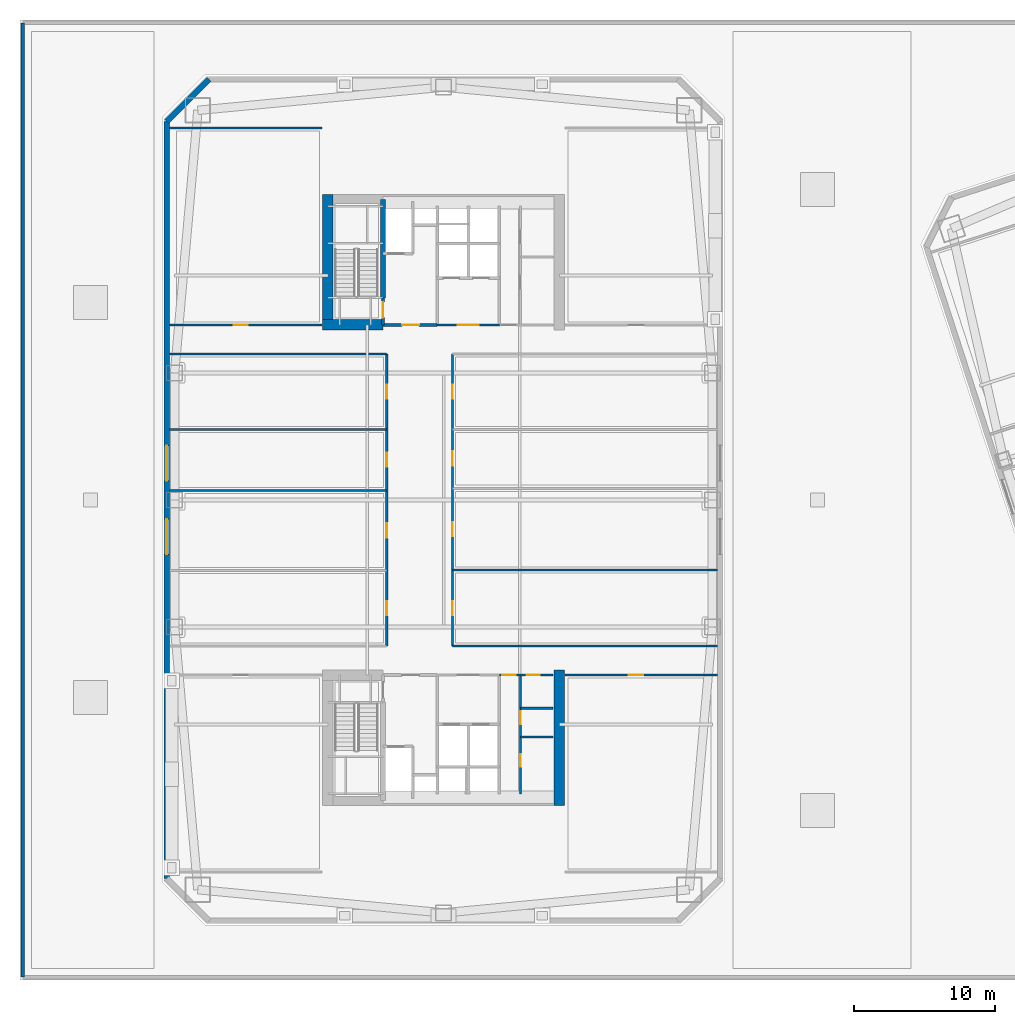
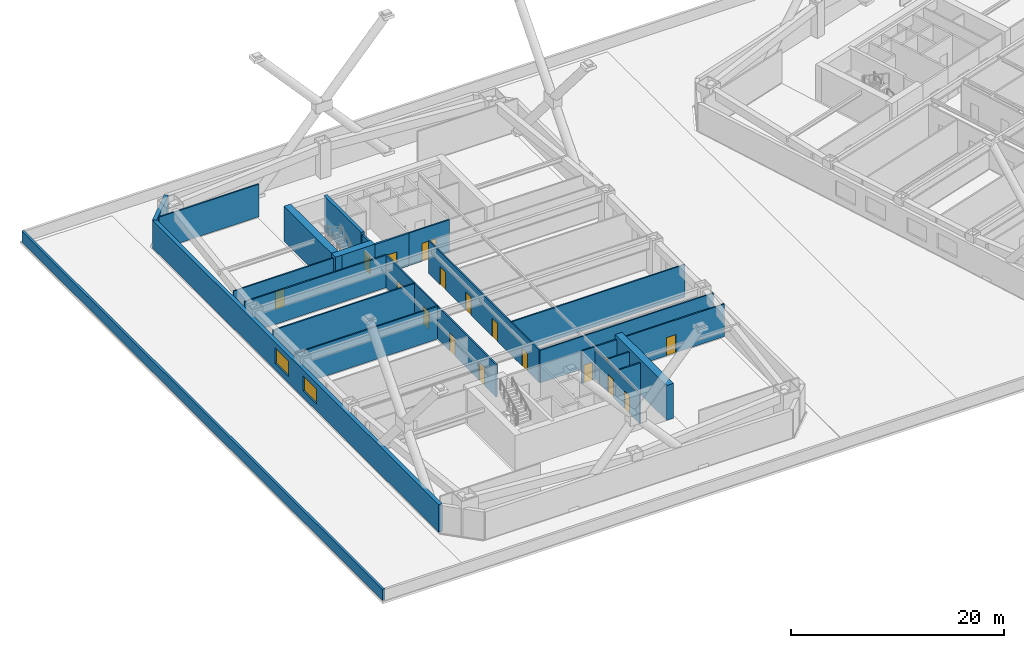
# One storey, part 7 of 20: 24 walls, 17 doors, 2 windows, 19 openings.
"""IFC4 building model written with IfcOpenShell, lengths in metres."""

from ifc_helpers import new_model, si_unit, direction, frame, frame_2d, origin, place, context, subcontext, project, spatial, rectangle, extrude, material, layer, layer_set, type_object, element, fill, save


model = new_model("IFC4")

# Units and contexts
model_context = context("Model", 3, precision=1e-05, world=origin(), true_north=direction((0.0, 1.0)))
body_context = subcontext(model_context, "Body", "Model", "MODEL_VIEW")
ifc_project = project(units=[si_unit("LENGTHUNIT", "METRE"), si_unit("AREAUNIT", "SQUARE_METRE"), si_unit("VOLUMEUNIT", "CUBIC_METRE"), si_unit("PLANEANGLEUNIT", "RADIAN"), si_unit("MASSUNIT", "GRAM", prefix="KILO")], contexts=[model_context])

# Site, building, storey
site_placement = place(None, origin())
site = spatial("IfcSite", under=ifc_project, at=site_placement, CompositionType="ELEMENT")
building_placement = place(site_placement, origin())
building = spatial("IfcBuilding", under=site, at=building_placement, Name="Qiaolan Cultural Towers", CompositionType="ELEMENT")
storey_placement = place(building_placement, frame((0.0, 0.0, 26.0)))
storey = spatial("IfcBuildingStorey", under=building, at=storey_placement, Name="L05", CompositionType="ELEMENT", Elevation=26.0)

# Walls
ifc_material_1 = material(Name="Concrete C50", Category="concrete")
ifc_layer_1 = layer(ifc_material_1, 0.35009765625)
ifc_layer_set_1 = layer_set([ifc_layer_1], Name="Concrete C50")
wall_type_1 = type_object("IfcWallType", Name="WL-CORE-350", PredefinedType="SHEAR", material=ifc_layer_set_1)
wall_1_placement = place(storey_placement, frame((25.719970703125, 48.300048828125, 0.0), z_axis=(0.0, 0.0, 1.0), x_axis=(0.0, 1.0, 0.0)))
element("IfcWall", 1, at=wall_1_placement, inside=storey, type_object=wall_type_1, Name="L05 T1-CN Stair Core Dividing Web", PredefinedType="SHEAR", context=body_context, shape_type="SweptSolid", body=[
    extrude(rectangle(XDim=6.97998046875, YDim=0.35009765625, at=frame_2d((3.489990234375, 0.0))), origin(), (0.0, 0.0, 1.0), 4.0),
])
ifc_material_2 = material(Name="Concrete C60", Category="concrete")
ifc_layer_2 = layer(ifc_material_2, 0.75)
ifc_layer_set_2 = layer_set([ifc_layer_2], Name="Concrete C60")
wall_type_2 = type_object("IfcWallType", Name="WL-CORE-750", PredefinedType="SHEAR", material=ifc_layer_set_2)
for number, where, z_axis, x_axis, name in (
    (2, (38.199951171875, 21.97509765625, 0.0), (0.0, 0.0, 1.0), (0.0, -1.0, 0.0), "L05 T1-CS East Core Shear Wall"),
    (3, (21.800048828125, 46.02490234375, 0.0), (0.0, 0.0, 1.0), (0.0, 1.0, 0.0), "L05 T1-CN West Core Shear Wall"),
):
    element("IfcWall", number, at=place(storey_placement, frame(where, z_axis=z_axis, x_axis=x_axis)), inside=storey, type_object=wall_type_2, Name=name, PredefinedType="SHEAR", context=body_context, shape_type="SweptSolid", body=[
        extrude(rectangle(XDim=9.630126953125, YDim=0.75, at=frame_2d((4.81494140625, 0.0))), origin(), (0.0, 0.0, 1.0), 4.0),
    ])
wall_2_placement = place(storey_placement, frame((21.425048828125, 46.39990234375, 0.0), z_axis=(0.0, 0.0, 1.0), x_axis=(1.0, 0.0, 0.0)))
element("IfcWall", 4, at=wall_2_placement, inside=storey, type_object=wall_type_2, Name="L05 T1-CN Stair Front Shear Wall", PredefinedType="SHEAR", context=body_context, shape_type="SweptSolid", body=[
    extrude(rectangle(XDim=4.294921875, YDim=0.75, at=frame_2d((2.1474609375, 0.0))), origin(), (0.0, 0.0, 1.0), 4.0),
])

# Wall, openings, windows
ifc_material_3 = material(Name="Precast Concrete C50 Honed Stone Pier", Category="masonry")
ifc_layer_3 = layer(ifc_material_3, 0.39990234375)
ifc_layer_set_3 = layer_set([ifc_layer_3], Name="Precast Concrete C50 Honed Stone Pier")
wall_type_3 = type_object("IfcWallType", Name="WL-EXT-PIER-400", PredefinedType="SOLIDWALL", material=ifc_layer_set_3)
wall_3_placement = place(storey_placement, frame((10.39990234375, 7.199951171875, 0.0), z_axis=(0.0, 0.0, 1.0), x_axis=(0.0, 1.0, 0.0)))
wall_3 = element("IfcWall", 5, at=wall_3_placement, inside=storey, type_object=wall_type_3, Name="L05 West Tower Precast Pier Facade Wall F1", PredefinedType="SOLIDWALL", context=body_context, shape_type="SweptSolid", body=[
    extrude(rectangle(XDim=53.60009765625, YDim=0.39990234375, at=frame_2d((26.800048828125, 0.0))), origin(), (0.0, 0.0, 1.0), 3.159912109375),
])
opening_1_placement = place(wall_3_placement, frame((22.949951171875, 0.0, 0.75)))
opening_1 = element("IfcOpeningElement", 6, at=opening_1_placement, cuts=wall_3, Name="Opening W-01", PredefinedType="OPENING", context=body_context, shape_type="SweptSolid", body=[
    extrude(rectangle(XDim=2.5, YDim=1.75, at=frame_2d((1.25, 0.875))), frame((0.0, 0.2099609375, 0.0), z_axis=(0.0, -1.0, 0.0), x_axis=(1.0, 0.0, 0.0)), (0.0, 0.0, 1.0), 0.419921875),
])
opening_2_placement = place(wall_3_placement, frame((28.14990234375, 0.0, 0.75)))
opening_2 = element("IfcOpeningElement", 7, at=opening_2_placement, cuts=wall_3, Name="Opening W-01", PredefinedType="OPENING", context=body_context, shape_type="SweptSolid", body=[
    extrude(rectangle(XDim=2.5, YDim=1.75, at=frame_2d((1.25, 0.875))), frame((0.0, 0.2099609375, 0.0), z_axis=(0.0, -1.0, 0.0), x_axis=(1.0, 0.0, 0.0)), (0.0, 0.0, 1.0), 0.419921875),
])
ifc_material_4 = material(Name="Thermally Broken Aluminium Triple Low-E Glazing", Category="aluminium")
window_type = type_object("IfcWindowType", Name="WN-CHIC-2500", PartitioningType="SINGLE_PANEL", PredefinedType="WINDOW", material=ifc_material_4)
window_1_placement = place(opening_1_placement, origin())
window_1 = element("IfcWindow", 8, at=window_1_placement, inside=storey, type_object=window_type, Name="L05 T1 W Chicago Bay Window 1", OverallHeight=1.75, OverallWidth=2.5, PartitioningType="TRIPLE_PANEL_VERTICAL", PredefinedType="WINDOW", context=body_context, shape_type="SweptSolid", body=[
    extrude(rectangle(XDim=2.5, YDim=1.75, at=frame_2d((1.25, 0.875))), frame((0.0, 0.030029296875, 0.0), z_axis=(0.0, -1.0, 0.0), x_axis=(1.0, 0.0, 0.0)), (0.0, 0.0, 1.0), 0.06005859375),
])
fill(opening_1, window_1)
window_2_placement = place(opening_2_placement, origin())
window_2 = element("IfcWindow", 9, at=window_2_placement, inside=storey, type_object=window_type, Name="L05 T1 W Chicago Bay Window 2", OverallHeight=1.75, OverallWidth=2.5, PartitioningType="TRIPLE_PANEL_VERTICAL", PredefinedType="WINDOW", context=body_context, shape_type="SweptSolid", body=[
    extrude(rectangle(XDim=2.5, YDim=1.75, at=frame_2d((1.25, 0.875))), frame((0.0, 0.030029296875, 0.0), z_axis=(0.0, -1.0, 0.0), x_axis=(1.0, 0.0, 0.0)), (0.0, 0.0, 1.0), 0.06005859375),
])
fill(opening_2, window_2)

# Wall
wall_4_placement = place(storey_placement, frame((10.39990234375, 60.800048828125, 0.0), z_axis=(0.0, 0.0, 1.0), x_axis=(0.707106781187, 0.707106781187, 0.0)))
element("IfcWall", 10, at=wall_4_placement, inside=storey, type_object=wall_type_3, Name="L05 West Tower Precast Pier Facade Wall F2", PredefinedType="SOLIDWALL", context=body_context, shape_type="SweptSolid", body=[
    extrude(rectangle(XDim=4.24267578125, YDim=0.39990234375, at=frame_2d((2.121337890625, 0.0))), origin(), (0.0, 0.0, 1.0), 3.159912109375),
])

# Wall, opening, door
ifc_material_5 = material(Name="Concrete C35 Fire Wall", Category="concrete")
ifc_layer_4 = layer(ifc_material_5, 0.199951171875)
ifc_layer_set_4 = layer_set([ifc_layer_4], Name="Concrete C35 Fire Wall")
wall_type_4 = type_object("IfcWallType", Name="WL-FIRE-200", PredefinedType="PARTITIONING", material=ifc_layer_set_4)
wall_5_placement = place(storey_placement, frame((25.719970703125, 46.39990234375, 0.0), z_axis=(0.0, 0.0, 1.0), x_axis=(0.0, 1.0, 0.0)))
wall_5 = element("IfcWall", 11, at=wall_5_placement, inside=storey, type_object=wall_type_4, Name="L05 T1-CN Smokeproof Stair Entry Wall", PredefinedType="PARTITIONING", context=body_context, shape_type="SweptSolid", body=[
    extrude(rectangle(XDim=1.900146484375, YDim=0.199951171875, at=frame_2d((0.9501953125, 0.0))), origin(), (0.0, 0.0, 1.0), 3.72509765625),
])
opening_3_placement = place(wall_5_placement, frame((0.52001953125, 0.0, 0.0)))
opening_3 = element("IfcOpeningElement", 12, at=opening_3_placement, cuts=wall_5, Name="Opening FD-04", PredefinedType="OPENING", context=body_context, shape_type="SweptSolid", body=[
    extrude(rectangle(XDim=1.10009765625, YDim=2.050048828125, at=frame_2d((0.550048828125, 1.02490234375))), frame((0.0, 0.10986328125, 0.0), z_axis=(0.0, -1.0, 0.0), x_axis=(1.0, 0.0, 0.0)), (0.0, 0.0, 1.0), 0.219970703125),
])
ifc_material_6 = material(Name="Galvanized Steel Command Fire Door", Category="steel")
door_type_1 = type_object("IfcDoorType", Name="DR-FD90-1100", OperationType="NOTDEFINED", PredefinedType="DOOR", material=ifc_material_6)
door_1_placement = place(opening_3_placement, origin())
door_1 = element("IfcDoor", 13, at=door_1_placement, inside=storey, type_object=door_type_1, Name="L05 ST-W2 Smokeproof Stair Fire Door", OperationType="SINGLE_SWING_LEFT", OverallHeight=2.050048828125, OverallWidth=1.10009765625, PredefinedType="DOOR", context=body_context, shape_type="SweptSolid", body=[
    extrude(rectangle(XDim=1.10009765625, YDim=2.050048828125, at=frame_2d((0.550048828125, 1.02490234375))), frame((0.0, 0.02490234375, 0.0), z_axis=(0.0, -1.0, 0.0), x_axis=(1.0, 0.0, 0.0)), (0.0, 0.0, 1.0), 0.050048828125),
])
fill(opening_3, door_1)

wall_6_placement = place(storey_placement, frame((25.719970703125, 46.39990234375, 0.0), z_axis=(0.0, 0.0, 1.0), x_axis=(1.0, 0.0, 0.0)))
wall_6 = element("IfcWall", 14, at=wall_6_placement, inside=storey, type_object=wall_type_4, Name="L05 T1-CN Firefighting Lobby Front Wall", PredefinedType="PARTITIONING", context=body_context, shape_type="SweptSolid", body=[
    extrude(rectangle(XDim=3.830078125, YDim=0.199951171875, at=frame_2d((1.9150390625, 0.0))), origin(), (0.0, 0.0, 1.0), 3.72509765625),
])
opening_4_placement = place(wall_6_placement, frame((1.35009765625, 0.0, 0.0)))
opening_4 = element("IfcOpeningElement", 15, at=opening_4_placement, cuts=wall_6, Name="Opening FD-03", PredefinedType="OPENING", context=body_context, shape_type="SweptSolid", body=[
    extrude(rectangle(XDim=1.199951171875, YDim=2.050048828125, at=frame_2d((0.60009765625, 1.02490234375))), frame((0.0, 0.10986328125, 0.0), z_axis=(0.0, -1.0, 0.0), x_axis=(1.0, 0.0, 0.0)), (0.0, 0.0, 1.0), 0.219970703125),
])
ifc_material_7 = material(Name="Galvanized Steel Smokeproof Lobby Fire Door", Category="steel")
door_type_2 = type_object("IfcDoorType", Name="DR-FD90-1200", OperationType="NOTDEFINED", PredefinedType="DOOR", material=ifc_material_7)
door_2_placement = place(opening_4_placement, origin())
door_2 = element("IfcDoor", 16, at=door_2_placement, inside=storey, type_object=door_type_2, Name="L05 FFL-W2 Firefighting Lobby Fire Door", OperationType="SINGLE_SWING_LEFT", OverallHeight=2.050048828125, OverallWidth=1.199951171875, PredefinedType="DOOR", context=body_context, shape_type="SweptSolid", body=[
    extrude(rectangle(XDim=1.199951171875, YDim=2.050048828125, at=frame_2d((0.60009765625, 1.02490234375))), frame((0.0, 0.02490234375, 0.0), z_axis=(0.0, -1.0, 0.0), x_axis=(1.0, 0.0, 0.0)), (0.0, 0.0, 1.0), 0.050048828125),
])
fill(opening_4, door_2)

# Wall
ifc_material_8 = material(Name="Precast Concrete C45 Parapet Coping", Category="concrete")
ifc_layer_5 = layer(ifc_material_8, 0.25)
ifc_layer_set_5 = layer_set([ifc_layer_5], Name="Precast Concrete C45 Parapet Coping")
wall_type_5 = type_object("IfcWallType", Name="WL-PARAPET-250", PredefinedType="PARAPET", material=ifc_layer_set_5)
wall_7_placement = place(storey_placement, frame((0.199951171875, 0.199951171875, 0.0), z_axis=(0.0, 0.0, 1.0), x_axis=(0.0, 1.0, 0.0)))
element("IfcWall", 17, at=wall_7_placement, inside=storey, type_object=wall_type_5, Name="Podium Perimeter Precast Parapet PW-POD-W", PredefinedType="PARAPET", context=body_context, shape_type="SweptSolid", body=[
    extrude(rectangle(XDim=67.60009765625, YDim=0.25, at=frame_2d((33.800048828125, 0.0))), origin(), (0.0, 0.0, 1.0), 1.25),
])

# Wall, openings, doors
ifc_material_9 = material(Name="Autoclaved Aerated Concrete Block B06", Category="concrete")
ifc_layer_6 = layer(ifc_material_9, 0.14990234375)
ifc_layer_set_6 = layer_set([ifc_layer_6], Name="Autoclaved Aerated Concrete Block B06")
wall_type_6 = type_object("IfcWallType", Name="WL-PART-150", PredefinedType="PARTITIONING", material=ifc_layer_set_6)
wall_8_placement = place(storey_placement, frame((33.949951171875, 21.60009765625, 0.0), z_axis=(0.0, 0.0, 1.0), x_axis=(1.0, 0.0, 0.0)))
wall_8 = element("IfcWall", 18, at=wall_8_placement, inside=storey, type_object=wall_type_6, Name="L05 T1-CS Sanitary Core Front Wall", PredefinedType="PARTITIONING", context=body_context, shape_type="SweptSolid", body=[
    extrude(rectangle(XDim=3.800048828125, YDim=0.14990234375, at=frame_2d((1.89990234375, 0.0))), origin(), (0.0, 0.0, 1.0), 3.72509765625),
])
opening_5_placement = place(wall_8_placement, frame((0.219970703125, 0.0, 0.0)))
opening_5 = element("IfcOpeningElement", 19, at=opening_5_placement, cuts=wall_8, Name="Opening ID-05", PredefinedType="OPENING", context=body_context, shape_type="SweptSolid", body=[
    extrude(rectangle(XDim=0.949951171875, YDim=2.050048828125, at=frame_2d((0.47509765625, 1.02490234375))), frame((0.0, 0.0849609375, 0.0), z_axis=(0.0, -1.0, 0.0), x_axis=(1.0, 0.0, 0.0)), (0.0, 0.0, 1.0), 0.169921875),
])
opening_6_placement = place(wall_8_placement, frame((1.949951171875, 0.0, 0.0)))
opening_6 = element("IfcOpeningElement", 20, at=opening_6_placement, cuts=wall_8, Name="Opening ID-06", PredefinedType="OPENING", context=body_context, shape_type="SweptSolid", body=[
    extrude(rectangle(XDim=0.89990234375, YDim=2.050048828125, at=frame_2d((0.449951171875, 1.02490234375))), frame((0.0, 0.0849609375, 0.0), z_axis=(0.0, -1.0, 0.0), x_axis=(1.0, 0.0, 0.0)), (0.0, 0.0, 1.0), 0.169921875),
])
ifc_material_10 = material(Name="Fire-Rated Laminate Core Service Door", Category="timber")
door_type_3 = type_object("IfcDoorType", Name="DR-INT-900", OperationType="NOTDEFINED", PredefinedType="DOOR", material=ifc_material_10)
door_3_placement = place(opening_6_placement, origin())
door_3 = element("IfcDoor", 21, at=door_3_placement, inside=storey, type_object=door_type_3, Name="L05 Core Tea Pantry Door", OperationType="SINGLE_SWING_RIGHT", OverallHeight=2.050048828125, OverallWidth=0.89990234375, PredefinedType="DOOR", context=body_context, shape_type="SweptSolid", body=[
    extrude(rectangle(XDim=0.89990234375, YDim=2.050048828125, at=frame_2d((0.449951171875, 1.02490234375))), frame((0.0, 0.02490234375, 0.0), z_axis=(0.0, -1.0, 0.0), x_axis=(1.0, 0.0, 0.0)), (0.0, 0.0, 1.0), 0.050048828125),
])
fill(opening_6, door_3)
ifc_material_11 = material(Name="Fire-Rated Laminate Accessible Core Door", Category="timber")
door_type_4 = type_object("IfcDoorType", Name="DR-INT-950", OperationType="NOTDEFINED", PredefinedType="DOOR", material=ifc_material_11)
door_4_placement = place(opening_5_placement, origin())
door_4 = element("IfcDoor", 22, at=door_4_placement, inside=storey, type_object=door_type_4, Name="L05 Sanitary Passage Door", OperationType="SINGLE_SWING_LEFT", OverallHeight=2.050048828125, OverallWidth=0.949951171875, PredefinedType="DOOR", context=body_context, shape_type="SweptSolid", body=[
    extrude(rectangle(XDim=0.949951171875, YDim=2.050048828125, at=frame_2d((0.47509765625, 1.02490234375))), frame((0.0, 0.02490234375, 0.0), z_axis=(0.0, -1.0, 0.0), x_axis=(1.0, 0.0, 0.0)), (0.0, 0.0, 1.0), 0.050048828125),
])
fill(opening_5, door_4)

wall_9_placement = place(storey_placement, frame((35.449951171875, 21.60009765625, 0.0), z_axis=(0.0, 0.0, 1.0), x_axis=(0.0, -1.0, 0.0)))
wall_9 = element("IfcWall", 23, at=wall_9_placement, inside=storey, type_object=wall_type_6, Name="L05 T1-CS Sanitary Corridor Wall", PredefinedType="PARTITIONING", context=body_context, shape_type="SweptSolid", body=[
    extrude(rectangle(XDim=8.43017578125, YDim=0.14990234375, at=frame_2d((4.215087890625, 0.0))), origin(), (0.0, 0.0, 1.0), 3.364990234375),
])
opening_7_placement = place(wall_9_placement, frame((2.550048828125, 0.0, 0.0)))
opening_7 = element("IfcOpeningElement", 24, at=opening_7_placement, cuts=wall_9, Name="Opening ID-05", PredefinedType="OPENING", context=body_context, shape_type="SweptSolid", body=[
    extrude(rectangle(XDim=0.949951171875, YDim=2.050048828125, at=frame_2d((0.47509765625, 1.02490234375))), frame((0.0, 0.0849609375, 0.0), z_axis=(0.0, -1.0, 0.0), x_axis=(1.0, 0.0, 0.0)), (0.0, 0.0, 1.0), 0.169921875),
])
opening_8_placement = place(wall_9_placement, frame((5.60009765625, 0.0, 0.0)))
opening_8 = element("IfcOpeningElement", 25, at=opening_8_placement, cuts=wall_9, Name="Opening ID-06", PredefinedType="OPENING", context=body_context, shape_type="SweptSolid", body=[
    extrude(rectangle(XDim=0.89990234375, YDim=2.050048828125, at=frame_2d((0.449951171875, 1.02490234375))), frame((0.0, 0.0849609375, 0.0), z_axis=(0.0, -1.0, 0.0), x_axis=(1.0, 0.0, 0.0)), (0.0, 0.0, 1.0), 0.169921875),
])
door_5_placement = place(opening_8_placement, origin())
door_5 = element("IfcDoor", 26, at=door_5_placement, inside=storey, type_object=door_type_3, Name="L05 Staff Restroom Door", OperationType="SINGLE_SWING_RIGHT", OverallHeight=2.050048828125, OverallWidth=0.89990234375, PredefinedType="DOOR", context=body_context, shape_type="SweptSolid", body=[
    extrude(rectangle(XDim=0.89990234375, YDim=2.050048828125, at=frame_2d((0.449951171875, 1.02490234375))), frame((0.0, 0.02490234375, 0.0), z_axis=(0.0, -1.0, 0.0), x_axis=(1.0, 0.0, 0.0)), (0.0, 0.0, 1.0), 0.050048828125),
])
fill(opening_8, door_5)
door_6_placement = place(opening_7_placement, origin())
door_6 = element("IfcDoor", 27, at=door_6_placement, inside=storey, type_object=door_type_4, Name="L05 Accessible Washroom Door", OperationType="SINGLE_SWING_LEFT", OverallHeight=2.050048828125, OverallWidth=0.949951171875, PredefinedType="DOOR", context=body_context, shape_type="SweptSolid", body=[
    extrude(rectangle(XDim=0.949951171875, YDim=2.050048828125, at=frame_2d((0.47509765625, 1.02490234375))), frame((0.0, 0.02490234375, 0.0), z_axis=(0.0, -1.0, 0.0), x_axis=(1.0, 0.0, 0.0)), (0.0, 0.0, 1.0), 0.050048828125),
])
fill(opening_7, door_6)

# Walls
for number, where, z_axis, x_axis, name in (
    (28, (35.449951171875, 17.199951171875, 0.0), (0.0, 0.0, 1.0), (1.0, 0.0, 0.0), "L05 T1-CS Restroom Split Wall"),
    (29, (35.449951171875, 19.25, 0.0), (0.0, 0.0, 1.0), (1.0, 0.0, 0.0), "L05 T1-CS Core Pantry Wall"),
):
    element("IfcWall", number, at=place(storey_placement, frame(where, z_axis=z_axis, x_axis=x_axis)), inside=storey, type_object=wall_type_6, Name=name, PredefinedType="PARTITIONING", context=body_context, shape_type="SweptSolid", body=[
        extrude(rectangle(XDim=2.300048828125, YDim=0.14990234375, at=frame_2d((1.14990234375, 0.0))), origin(), (0.0, 0.0, 1.0), 3.72509765625),
    ])

# Wall, opening, door
wall_10_placement = place(storey_placement, frame((29.550048828125, 46.39990234375, 0.0), z_axis=(0.0, 0.0, 1.0), x_axis=(1.0, 0.0, 0.0)))
wall_10 = element("IfcWall", 30, at=wall_10_placement, inside=storey, type_object=wall_type_6, Name="L05 T1-CN Passenger Lift Lobby Front Wall", PredefinedType="PARTITIONING", context=body_context, shape_type="SweptSolid", body=[
    extrude(rectangle(XDim=4.39990234375, YDim=0.14990234375, at=frame_2d((2.199951171875, 0.0))), origin(), (0.0, 0.0, 1.0), 3.72509765625),
])
opening_9_placement = place(wall_10_placement, frame((1.449951171875, 0.0, 0.0)))
opening_9 = element("IfcOpeningElement", 31, at=opening_9_placement, cuts=wall_10, Name="Opening FD-05", PredefinedType="OPENING", context=body_context, shape_type="SweptSolid", body=[
    extrude(rectangle(XDim=1.5, YDim=2.050048828125, at=frame_2d((0.75, 1.02490234375))), frame((0.0, 0.0849609375, 0.0), z_axis=(0.0, -1.0, 0.0), x_axis=(1.0, 0.0, 0.0)), (0.0, 0.0, 1.0), 0.169921875),
])
ifc_material_12 = material(Name="Painted Steel Lift Lobby Fire Door", Category="steel")
door_type_5 = type_object("IfcDoorType", Name="DR-FD60-1500", OperationType="NOTDEFINED", PredefinedType="DOOR", material=ifc_material_12)
door_7_placement = place(opening_9_placement, origin())
door_7 = element("IfcDoor", 32, at=door_7_placement, inside=storey, type_object=door_type_5, Name="L05 Passenger Lift Lobby Entrance", OperationType="SINGLE_SWING_LEFT", OverallHeight=2.050048828125, OverallWidth=1.5, PredefinedType="DOOR", context=body_context, shape_type="SweptSolid", body=[
    extrude(rectangle(XDim=1.5, YDim=2.050048828125, at=frame_2d((0.75, 1.02490234375))), frame((0.0, 0.02490234375, 0.0), z_axis=(0.0, -1.0, 0.0), x_axis=(1.0, 0.0, 0.0)), (0.0, 0.0, 1.0), 0.050048828125),
])
fill(opening_9, door_7)

wall_11_placement = place(storey_placement, frame((38.60009765625, 21.60009765625, 0.0), z_axis=(0.0, 0.0, 1.0), x_axis=(1.0, 0.0, 0.0)))
wall_11 = element("IfcWall", 33, at=wall_11_placement, inside=storey, type_object=wall_type_6, Name="L05 T1 Flank Front FLK-SE", PredefinedType="PARTITIONING", context=body_context, shape_type="SweptSolid", body=[
    extrude(rectangle(XDim=10.7998046875, YDim=0.14990234375, at=frame_2d((5.39990234375, 0.0))), origin(), (0.0, 0.0, 1.0), 3.72509765625),
])
opening_10_placement = place(wall_11_placement, frame((4.535888671875, 0.0, 0.0)))
opening_10 = element("IfcOpeningElement", 34, at=opening_10_placement, cuts=wall_11, Name="Opening ID-04", PredefinedType="OPENING", context=body_context, shape_type="SweptSolid", body=[
    extrude(rectangle(XDim=1.0, YDim=2.050048828125, at=frame_2d((0.5, 1.02490234375))), frame((0.0, 0.0849609375, 0.0), z_axis=(0.0, -1.0, 0.0), x_axis=(1.0, 0.0, 0.0)), (0.0, 0.0, 1.0), 0.169921875),
])
ifc_material_13 = material(Name="Oak Veneer Acoustic Office Door", Category="timber")
door_type_6 = type_object("IfcDoorType", Name="DR-INT-1000", OperationType="NOTDEFINED", PredefinedType="DOOR", material=ifc_material_13)
door_8_placement = place(opening_10_placement, origin())
door_8 = element("IfcDoor", 35, at=door_8_placement, inside=storey, type_object=door_type_6, Name="L05 T1 Corner Studio Door", OperationType="SINGLE_SWING_LEFT", OverallHeight=2.050048828125, OverallWidth=1.0, PredefinedType="DOOR", context=body_context, shape_type="SweptSolid", body=[
    extrude(rectangle(XDim=1.0, YDim=2.050048828125, at=frame_2d((0.5, 1.02490234375))), frame((0.0, 0.02490234375, 0.0), z_axis=(0.0, -1.0, 0.0), x_axis=(1.0, 0.0, 0.0)), (0.0, 0.0, 1.0), 0.050048828125),
])
fill(opening_10, door_8)

# Wall
wall_12_placement = place(storey_placement, frame((10.60009765625, 60.35009765625, 0.0), z_axis=(0.0, 0.0, 1.0), x_axis=(1.0, 0.0, 0.0)))
element("IfcWall", 36, at=wall_12_placement, inside=storey, type_object=wall_type_6, Name="L05 T1 Flank Wall FLK-NW", PredefinedType="PARTITIONING", context=body_context, shape_type="SweptSolid", body=[
    extrude(rectangle(XDim=10.7998046875, YDim=0.14990234375, at=frame_2d((5.39990234375, 0.0))), origin(), (0.0, 0.0, 1.0), 3.72509765625),
])

# Wall, opening, door
wall_13_placement = place(storey_placement, frame((10.60009765625, 46.39990234375, 0.0), z_axis=(0.0, 0.0, 1.0), x_axis=(1.0, 0.0, 0.0)))
wall_13 = element("IfcWall", 37, at=wall_13_placement, inside=storey, type_object=wall_type_6, Name="L05 T1 Flank Front FLK-NW", PredefinedType="PARTITIONING", context=body_context, shape_type="SweptSolid", body=[
    extrude(rectangle(XDim=10.7998046875, YDim=0.14990234375, at=frame_2d((5.39990234375, 0.0))), origin(), (0.0, 0.0, 1.0), 3.72509765625),
])
opening_11_placement = place(wall_13_placement, frame((4.535888671875, 0.0, 0.0)))
opening_11 = element("IfcOpeningElement", 38, at=opening_11_placement, cuts=wall_13, Name="Opening ID-04", PredefinedType="OPENING", context=body_context, shape_type="SweptSolid", body=[
    extrude(rectangle(XDim=1.0, YDim=2.050048828125, at=frame_2d((0.5, 1.02490234375))), frame((0.0, 0.0849609375, 0.0), z_axis=(0.0, -1.0, 0.0), x_axis=(1.0, 0.0, 0.0)), (0.0, 0.0, 1.0), 0.169921875),
])
door_9_placement = place(opening_11_placement, origin())
door_9 = element("IfcDoor", 39, at=door_9_placement, inside=storey, type_object=door_type_6, Name="L05 T1 Corner Studio Door", OperationType="SINGLE_SWING_LEFT", OverallHeight=2.050048828125, OverallWidth=1.0, PredefinedType="DOOR", context=body_context, shape_type="SweptSolid", body=[
    extrude(rectangle(XDim=1.0, YDim=2.050048828125, at=frame_2d((0.5, 1.02490234375))), frame((0.0, 0.02490234375, 0.0), z_axis=(0.0, -1.0, 0.0), x_axis=(1.0, 0.0, 0.0)), (0.0, 0.0, 1.0), 0.050048828125),
])
fill(opening_11, door_9)

# Walls
wall_14_placement = place(storey_placement, frame((30.625, 23.64990234375, 0.0), z_axis=(0.0, 0.0, 1.0), x_axis=(1.0, 0.0, 0.0)))
element("IfcWall", 40, at=wall_14_placement, inside=storey, type_object=wall_type_6, Name="L05 T1 South Corridor Right Wall", PredefinedType="PARTITIONING", context=body_context, shape_type="SweptSolid", body=[
    extrude(rectangle(XDim=18.77490234375, YDim=0.14990234375, at=frame_2d((9.387451171875, 0.0))), origin(), (0.0, 0.0, 1.0), 3.72509765625),
])
wall_15_placement = place(storey_placement, frame((10.60009765625, 44.35009765625, 0.0), z_axis=(0.0, 0.0, 1.0), x_axis=(1.0, 0.0, 0.0)))
element("IfcWall", 41, at=wall_15_placement, inside=storey, type_object=wall_type_6, Name="L05 T1 North Corridor Left Wall", PredefinedType="PARTITIONING", context=body_context, shape_type="SweptSolid", body=[
    extrude(rectangle(XDim=15.375, YDim=0.14990234375, at=frame_2d((7.6875, 0.0))), origin(), (0.0, 0.0, 1.0), 3.72509765625),
])

# Wall, openings, doors
wall_16_placement = place(storey_placement, frame((25.97509765625, 23.64990234375, 0.0), z_axis=(0.0, 0.0, 1.0), x_axis=(0.0, 1.0, 0.0)))
wall_16 = element("IfcWall", 42, at=wall_16_placement, inside=storey, type_object=wall_type_6, Name="L05 T1 West Spine Wall", PredefinedType="PARTITIONING", context=body_context, shape_type="SweptSolid", body=[
    extrude(rectangle(XDim=20.7001953125, YDim=0.14990234375, at=frame_2d((10.35009765625, 0.0))), origin(), (0.0, 0.0, 1.0), 3.72509765625),
])
opening_12_placement = place(wall_16_placement, frame((2.175048828125, 0.0, 0.0)))
opening_12 = element("IfcOpeningElement", 43, at=opening_12_placement, cuts=wall_16, Name="Opening ID-04", PredefinedType="OPENING", context=body_context, shape_type="SweptSolid", body=[
    extrude(rectangle(XDim=1.0, YDim=2.050048828125, at=frame_2d((0.5, 1.02490234375))), frame((0.0, 0.0849609375, 0.0), z_axis=(0.0, -1.0, 0.0), x_axis=(1.0, 0.0, 0.0)), (0.0, 0.0, 1.0), 0.169921875),
])
opening_13_placement = place(wall_16_placement, frame((7.68994140625, 0.0, 0.0)))
opening_13 = element("IfcOpeningElement", 44, at=opening_13_placement, cuts=wall_16, Name="Opening ID-04", PredefinedType="OPENING", context=body_context, shape_type="SweptSolid", body=[
    extrude(rectangle(XDim=1.0, YDim=2.050048828125, at=frame_2d((0.5, 1.02490234375))), frame((0.0, 0.0849609375, 0.0), z_axis=(0.0, -1.0, 0.0), x_axis=(1.0, 0.0, 0.0)), (0.0, 0.0, 1.0), 0.169921875),
])
opening_14_placement = place(wall_16_placement, frame((12.68994140625, 0.0, 0.0)))
opening_14 = element("IfcOpeningElement", 45, at=opening_14_placement, cuts=wall_16, Name="Opening ID-04", PredefinedType="OPENING", context=body_context, shape_type="SweptSolid", body=[
    extrude(rectangle(XDim=1.0, YDim=2.050048828125, at=frame_2d((0.5, 1.02490234375))), frame((0.0, 0.0849609375, 0.0), z_axis=(0.0, -1.0, 0.0), x_axis=(1.0, 0.0, 0.0)), (0.0, 0.0, 1.0), 0.169921875),
])
opening_15_placement = place(wall_16_placement, frame((17.52490234375, 0.0, 0.0)))
opening_15 = element("IfcOpeningElement", 46, at=opening_15_placement, cuts=wall_16, Name="Opening ID-04", PredefinedType="OPENING", context=body_context, shape_type="SweptSolid", body=[
    extrude(rectangle(XDim=1.0, YDim=2.050048828125, at=frame_2d((0.5, 1.02490234375))), frame((0.0, 0.0849609375, 0.0), z_axis=(0.0, -1.0, 0.0), x_axis=(1.0, 0.0, 0.0)), (0.0, 0.0, 1.0), 0.169921875),
])
door_10_placement = place(opening_12_placement, origin())
door_10 = element("IfcDoor", 47, at=door_10_placement, inside=storey, type_object=door_type_6, Name="L05 T1 Gallery Exhibition Room Door", OperationType="SINGLE_SWING_LEFT", OverallHeight=2.050048828125, OverallWidth=1.0, PredefinedType="DOOR", context=body_context, shape_type="SweptSolid", body=[
    extrude(rectangle(XDim=1.0, YDim=2.050048828125, at=frame_2d((0.5, 1.02490234375))), frame((0.0, 0.02490234375, 0.0), z_axis=(0.0, -1.0, 0.0), x_axis=(1.0, 0.0, 0.0)), (0.0, 0.0, 1.0), 0.050048828125),
])
fill(opening_12, door_10)
door_11_placement = place(opening_13_placement, origin())
door_11 = element("IfcDoor", 48, at=door_11_placement, inside=storey, type_object=door_type_6, Name="L05 T1 Curatorial Office Door", OperationType="SINGLE_SWING_RIGHT", OverallHeight=2.050048828125, OverallWidth=1.0, PredefinedType="DOOR", context=body_context, shape_type="SweptSolid", body=[
    extrude(rectangle(XDim=1.0, YDim=2.050048828125, at=frame_2d((0.5, 1.02490234375))), frame((0.0, 0.02490234375, 0.0), z_axis=(0.0, -1.0, 0.0), x_axis=(1.0, 0.0, 0.0)), (0.0, 0.0, 1.0), 0.050048828125),
])
fill(opening_13, door_11)
door_12_placement = place(opening_14_placement, origin())
door_12 = element("IfcDoor", 49, at=door_12_placement, inside=storey, type_object=door_type_6, Name="L05 T1 Conservation Studio Door", OperationType="SINGLE_SWING_LEFT", OverallHeight=2.050048828125, OverallWidth=1.0, PredefinedType="DOOR", context=body_context, shape_type="SweptSolid", body=[
    extrude(rectangle(XDim=1.0, YDim=2.050048828125, at=frame_2d((0.5, 1.02490234375))), frame((0.0, 0.02490234375, 0.0), z_axis=(0.0, -1.0, 0.0), x_axis=(1.0, 0.0, 0.0)), (0.0, 0.0, 1.0), 0.050048828125),
])
fill(opening_14, door_12)
door_13_placement = place(opening_15_placement, origin())
door_13 = element("IfcDoor", 50, at=door_13_placement, inside=storey, type_object=door_type_6, Name="L05 T1 Gallery Exhibition Room Door", OperationType="SINGLE_SWING_RIGHT", OverallHeight=2.050048828125, OverallWidth=1.0, PredefinedType="DOOR", context=body_context, shape_type="SweptSolid", body=[
    extrude(rectangle(XDim=1.0, YDim=2.050048828125, at=frame_2d((0.5, 1.02490234375))), frame((0.0, 0.02490234375, 0.0), z_axis=(0.0, -1.0, 0.0), x_axis=(1.0, 0.0, 0.0)), (0.0, 0.0, 1.0), 0.050048828125),
])
fill(opening_15, door_13)

wall_17_placement = place(storey_placement, frame((30.625, 23.64990234375, 0.0), z_axis=(0.0, 0.0, 1.0), x_axis=(0.0, 1.0, 0.0)))
wall_17 = element("IfcWall", 51, at=wall_17_placement, inside=storey, type_object=wall_type_6, Name="L05 T1 East Spine Wall", PredefinedType="PARTITIONING", context=body_context, shape_type="SweptSolid", body=[
    extrude(rectangle(XDim=20.7001953125, YDim=0.14990234375, at=frame_2d((10.35009765625, 0.0))), origin(), (0.0, 0.0, 1.0), 3.72509765625),
])
opening_16_placement = place(wall_17_placement, frame((2.19091796875, 0.0, 0.0)))
opening_16 = element("IfcOpeningElement", 52, at=opening_16_placement, cuts=wall_17, Name="Opening ID-04", PredefinedType="OPENING", context=body_context, shape_type="SweptSolid", body=[
    extrude(rectangle(XDim=1.0, YDim=2.050048828125, at=frame_2d((0.5, 1.02490234375))), frame((0.0, 0.0849609375, 0.0), z_axis=(0.0, -1.0, 0.0), x_axis=(1.0, 0.0, 0.0)), (0.0, 0.0, 1.0), 0.169921875),
])
opening_17_placement = place(wall_17_placement, frame((7.780029296875, 0.0, 0.0)))
opening_17 = element("IfcOpeningElement", 53, at=opening_17_placement, cuts=wall_17, Name="Opening ID-04", PredefinedType="OPENING", context=body_context, shape_type="SweptSolid", body=[
    extrude(rectangle(XDim=1.0, YDim=2.050048828125, at=frame_2d((0.5, 1.02490234375))), frame((0.0, 0.0849609375, 0.0), z_axis=(0.0, -1.0, 0.0), x_axis=(1.0, 0.0, 0.0)), (0.0, 0.0, 1.0), 0.169921875),
])
opening_18_placement = place(wall_17_placement, frame((12.763916015625, 0.0, 0.0)))
opening_18 = element("IfcOpeningElement", 54, at=opening_18_placement, cuts=wall_17, Name="Opening ID-07", PredefinedType="OPENING", context=body_context, shape_type="SweptSolid", body=[
    extrude(rectangle(XDim=1.050048828125, YDim=2.050048828125, at=frame_2d((0.52490234375, 1.02490234375))), frame((0.0, 0.0849609375, 0.0), z_axis=(0.0, -1.0, 0.0), x_axis=(1.0, 0.0, 0.0)), (0.0, 0.0, 1.0), 0.169921875),
])
opening_19_placement = place(wall_17_placement, frame((17.52490234375, 0.0, 0.0)))
opening_19 = element("IfcOpeningElement", 55, at=opening_19_placement, cuts=wall_17, Name="Opening ID-04", PredefinedType="OPENING", context=body_context, shape_type="SweptSolid", body=[
    extrude(rectangle(XDim=1.0, YDim=2.050048828125, at=frame_2d((0.5, 1.02490234375))), frame((0.0, 0.0849609375, 0.0), z_axis=(0.0, -1.0, 0.0), x_axis=(1.0, 0.0, 0.0)), (0.0, 0.0, 1.0), 0.169921875),
])
door_14_placement = place(opening_16_placement, origin())
door_14 = element("IfcDoor", 56, at=door_14_placement, inside=storey, type_object=door_type_6, Name="L05 T1 Design Office Door", OperationType="SINGLE_SWING_RIGHT", OverallHeight=2.050048828125, OverallWidth=1.0, PredefinedType="DOOR", context=body_context, shape_type="SweptSolid", body=[
    extrude(rectangle(XDim=1.0, YDim=2.050048828125, at=frame_2d((0.5, 1.02490234375))), frame((0.0, 0.02490234375, 0.0), z_axis=(0.0, -1.0, 0.0), x_axis=(1.0, 0.0, 0.0)), (0.0, 0.0, 1.0), 0.050048828125),
])
fill(opening_16, door_14)
door_15_placement = place(opening_17_placement, origin())
door_15 = element("IfcDoor", 57, at=door_15_placement, inside=storey, type_object=door_type_6, Name="L05 T1 Boardroom Door", OperationType="SINGLE_SWING_LEFT", OverallHeight=2.050048828125, OverallWidth=1.0, PredefinedType="DOOR", context=body_context, shape_type="SweptSolid", body=[
    extrude(rectangle(XDim=1.0, YDim=2.050048828125, at=frame_2d((0.5, 1.02490234375))), frame((0.0, 0.02490234375, 0.0), z_axis=(0.0, -1.0, 0.0), x_axis=(1.0, 0.0, 0.0)), (0.0, 0.0, 1.0), 0.050048828125),
])
fill(opening_17, door_15)
door_16_placement = place(opening_19_placement, origin())
door_16 = element("IfcDoor", 58, at=door_16_placement, inside=storey, type_object=door_type_6, Name="L05 T1 Design Office Door", OperationType="SINGLE_SWING_LEFT", OverallHeight=2.050048828125, OverallWidth=1.0, PredefinedType="DOOR", context=body_context, shape_type="SweptSolid", body=[
    extrude(rectangle(XDim=1.0, YDim=2.050048828125, at=frame_2d((0.5, 1.02490234375))), frame((0.0, 0.02490234375, 0.0), z_axis=(0.0, -1.0, 0.0), x_axis=(1.0, 0.0, 0.0)), (0.0, 0.0, 1.0), 0.050048828125),
])
fill(opening_19, door_16)
ifc_material_14 = material(Name="Oak Veneer Consultation Door", Category="timber")
door_type_7 = type_object("IfcDoorType", Name="DR-INT-1050", OperationType="NOTDEFINED", PredefinedType="DOOR", material=ifc_material_14)
door_17_placement = place(opening_18_placement, origin())
door_17 = element("IfcDoor", 59, at=door_17_placement, inside=storey, type_object=door_type_7, Name="L05 T1 Tea Pantry Door", OperationType="SINGLE_SWING_RIGHT", OverallHeight=2.050048828125, OverallWidth=1.050048828125, PredefinedType="DOOR", context=body_context, shape_type="SweptSolid", body=[
    extrude(rectangle(XDim=1.050048828125, YDim=2.050048828125, at=frame_2d((0.52490234375, 1.02490234375))), frame((0.0, 0.02490234375, 0.0), z_axis=(0.0, -1.0, 0.0), x_axis=(1.0, 0.0, 0.0)), (0.0, 0.0, 1.0), 0.050048828125),
])
fill(opening_18, door_17)

# Walls
for number, where, z_axis, x_axis, name in (
    (60, (10.60009765625, 34.679931640625, 0.0), (0.0, 0.0, 1.0), (1.0, 0.0, 0.0), "L05 T1 West Partition 2"),
    (61, (10.60009765625, 39.0, 0.0), (0.0, 0.0, 1.0), (1.0, 0.0, 0.0), "L05 T1 West Partition 3"),
):
    element("IfcWall", number, at=place(storey_placement, frame(where, z_axis=z_axis, x_axis=x_axis)), inside=storey, type_object=wall_type_6, Name=name, PredefinedType="PARTITIONING", context=body_context, shape_type="SweptSolid", body=[
        extrude(rectangle(XDim=15.375, YDim=0.14990234375, at=frame_2d((7.6875, 0.0))), origin(), (0.0, 0.0, 1.0), 3.72509765625),
    ])
wall_18_placement = place(storey_placement, frame((30.625, 29.031982421875, 0.0), z_axis=(0.0, 0.0, 1.0), x_axis=(1.0, 0.0, 0.0)))
element("IfcWall", 62, at=wall_18_placement, inside=storey, type_object=wall_type_6, Name="L05 T1 East Partition 1", PredefinedType="PARTITIONING", context=body_context, shape_type="SweptSolid", body=[
    extrude(rectangle(XDim=18.77490234375, YDim=0.14990234375, at=frame_2d((9.387451171875, 0.0))), origin(), (0.0, 0.0, 1.0), 3.72509765625),
])

save(model, "model.ifc")
